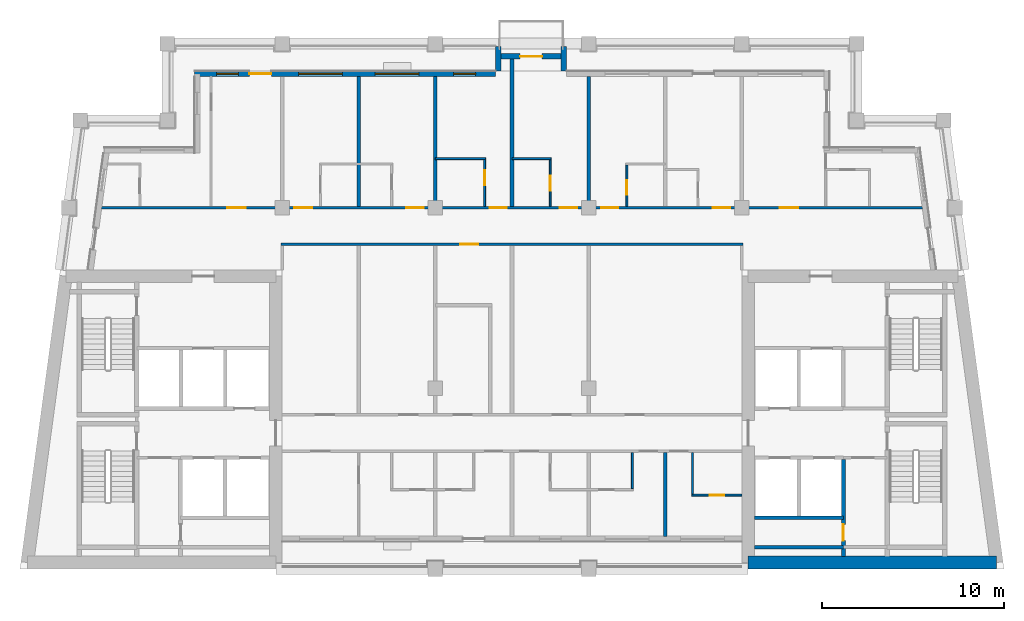
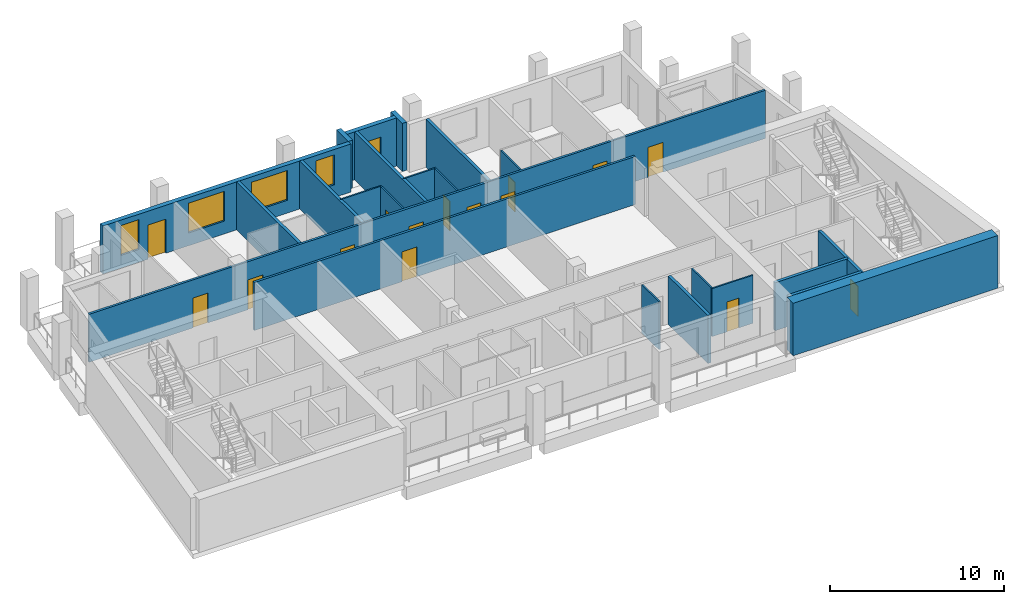
# One storey, part 4 of 10: 23 walls, 16 doors, 4 windows, 20 openings.
"""IFC4 building model written with IfcOpenShell, lengths in metres."""

from ifc_helpers import new_model, si_unit, direction, frame, frame_2d, origin, place, context, subcontext, project, spatial, rectangle, extrude, material, layer, layer_set, type_object, element, fill, save


model = new_model("IFC4")

# Units and contexts
model_context = context("Model", 3, precision=1e-05, world=origin(), true_north=direction((0.0, 1.0)))
body_context = subcontext(model_context, "Body", "Model", "MODEL_VIEW")
ifc_project = project(units=[si_unit("LENGTHUNIT", "METRE"), si_unit("AREAUNIT", "SQUARE_METRE"), si_unit("VOLUMEUNIT", "CUBIC_METRE"), si_unit("PLANEANGLEUNIT", "RADIAN"), si_unit("MASSUNIT", "GRAM", prefix="KILO")], contexts=[model_context])

# Site, building, storey
site_placement = place(None, origin())
site = spatial("IfcSite", under=ifc_project, at=site_placement, CompositionType="ELEMENT")
building_placement = place(site_placement, origin())
building = spatial("IfcBuilding", under=site, at=building_placement, Name="Candeia Pilgrim Tower and Theatre", CompositionType="ELEMENT")
storey_placement = place(building_placement, frame((0.0, 0.0, 292.300048828125)))
storey = spatial("IfcBuildingStorey", under=building, at=storey_placement, Name="L71", CompositionType="ELEMENT", Elevation=292.300048828125)

# Wall
ifc_material_1 = material(Name="Concrete C40/50", Category="concrete")
ifc_layer_1 = layer(ifc_material_1, 0.699951171875)
ifc_layer_set_1 = layer_set([ifc_layer_1], Name="Core wall 700 C40/50")
wall_type_1 = type_object("IfcWallType", Name="Core wall 700 C40/50", PredefinedType="SHEAR", material=ifc_layer_set_1)
wall_1_placement = place(storey_placement, frame((139.9765625, 116.35009765625, 0.0), z_axis=(0.0, 0.0, 1.0), x_axis=(-1.0, 0.0, 0.0)))
element("IfcWall", 1, at=wall_1_placement, inside=storey, type_object=wall_type_1, Name="Core wall E3", PredefinedType="SHEAR", context=body_context, shape_type="SweptSolid", body=[
    extrude(rectangle(XDim=13.62646484375, YDim=0.699951171875, at=frame_2d((6.813232421875, 0.0))), origin(), (0.0, 0.0, 1.0), 3.699951171875),
])

# Wall, openings, door, windows
ifc_material_2 = material(Name="Ceramic block masonry", Category="masonry")
ifc_layer_2 = layer(ifc_material_2, 0.300048828125)
ifc_layer_set_2 = layer_set([ifc_layer_2], Name="EW1 glazing-line wall 300")
wall_type_2 = type_object("IfcWallType", Name="EW1 glazing-line wall 300", PredefinedType="SOLIDWALL", material=ifc_layer_set_2)
wall_2_placement = place(storey_placement, frame((112.5, 143.14990234375, 0.0), z_axis=(0.0, 0.0, 1.0), x_axis=(-1.0, 0.0, 0.0)))
wall_2 = element("IfcWall", 2, at=wall_2_placement, inside=storey, type_object=wall_type_2, Name="External wall L71-5.1", PredefinedType="SOLIDWALL", context=body_context, shape_type="SweptSolid", body=[
    extrude(rectangle(XDim=16.5, YDim=0.300048828125, at=frame_2d((8.25, 0.0))), origin(), (0.0, 0.0, 1.0), 3.3798828125),
])
opening_1_placement = place(wall_2_placement, frame((1.10009765625, 0.0, 0.89990234375)))
opening_1 = element("IfcOpeningElement", 3, at=opening_1_placement, cuts=wall_2, Name="Opening W-B", PredefinedType="OPENING", context=body_context, shape_type="SweptSolid", body=[
    extrude(rectangle(XDim=1.199951171875, YDim=2.10009765625, at=frame_2d((0.60009765625, 1.050048828125))), frame((0.0, 0.16015625, 0.0), z_axis=(0.0, -1.0, 0.0), x_axis=(1.0, 0.0, 0.0)), (0.0, 0.0, 1.0), 0.320068359375),
])
opening_2_placement = place(wall_2_placement, frame((4.199951171875, 0.0, 0.89990234375)))
opening_2 = element("IfcOpeningElement", 4, at=opening_2_placement, cuts=wall_2, Name="Opening W-A", PredefinedType="OPENING", context=body_context, shape_type="SweptSolid", body=[
    extrude(rectangle(XDim=2.39990234375, YDim=2.10009765625, at=frame_2d((1.199951171875, 1.050048828125))), frame((0.0, 0.16015625, 0.0), z_axis=(0.0, -1.0, 0.0), x_axis=(1.0, 0.0, 0.0)), (0.0, 0.0, 1.0), 0.320068359375),
])
opening_3_placement = place(wall_2_placement, frame((8.39990234375, 0.0, 0.89990234375)))
opening_3 = element("IfcOpeningElement", 5, at=opening_3_placement, cuts=wall_2, Name="Opening W-A", PredefinedType="OPENING", context=body_context, shape_type="SweptSolid", body=[
    extrude(rectangle(XDim=2.39990234375, YDim=2.10009765625, at=frame_2d((1.199951171875, 1.050048828125))), frame((0.0, 0.16015625, 0.0), z_axis=(0.0, -1.0, 0.0), x_axis=(1.0, 0.0, 0.0)), (0.0, 0.0, 1.0), 0.320068359375),
])
opening_4_placement = place(wall_2_placement, frame((12.300048828125, 0.0, 0.0)))
opening_4 = element("IfcOpeningElement", 6, at=opening_4_placement, cuts=wall_2, Name="Opening L71-ED665", PredefinedType="OPENING", context=body_context, shape_type="SweptSolid", body=[
    extrude(rectangle(XDim=1.199951171875, YDim=2.39990234375, at=frame_2d((0.60009765625, 1.199951171875))), frame((0.0, 0.16015625, 0.0), z_axis=(0.0, -1.0, 0.0), x_axis=(1.0, 0.0, 0.0)), (0.0, 0.0, 1.0), 0.320068359375),
])
opening_5_placement = place(wall_2_placement, frame((14.10009765625, 0.0, 0.89990234375)))
opening_5 = element("IfcOpeningElement", 7, at=opening_5_placement, cuts=wall_2, Name="Opening W-B", PredefinedType="OPENING", context=body_context, shape_type="SweptSolid", body=[
    extrude(rectangle(XDim=1.199951171875, YDim=2.10009765625, at=frame_2d((0.60009765625, 1.050048828125))), frame((0.0, 0.16015625, 0.0), z_axis=(0.0, -1.0, 0.0), x_axis=(1.0, 0.0, 0.0)), (0.0, 0.0, 1.0), 0.320068359375),
])
ifc_material_3 = material(Name="Aluminium framed glazed door", Category="aluminium")
door_type_1 = type_object("IfcDoorType", Name="Loggia door 1200x2400", OperationType="DOUBLE_DOOR_SINGLE_SWING", PredefinedType="DOOR", material=ifc_material_3)
door_1_placement = place(opening_4_placement, origin())
door_1 = element("IfcDoor", 8, at=door_1_placement, inside=storey, type_object=door_type_1, Name="Loggia door L71-ED665", OperationType="DOUBLE_DOOR_SINGLE_SWING", OverallHeight=2.39990234375, OverallWidth=1.199951171875, PredefinedType="DOOR", context=body_context, shape_type="SweptSolid", body=[
    extrude(rectangle(XDim=1.199951171875, YDim=2.39990234375, at=frame_2d((0.60009765625, 1.199951171875))), frame((0.0, 0.02490234375, 0.0), z_axis=(0.0, -1.0, 0.0), x_axis=(1.0, 0.0, 0.0)), (0.0, 0.0, 1.0), 0.050048828125),
])
fill(opening_4, door_1)
ifc_material_4 = material(Name="Aluminium framed double glazing", Category="aluminium")
window_type_1 = type_object("IfcWindowType", Name="W-A window 2400x2100", PartitioningType="DOUBLE_PANEL_VERTICAL", PredefinedType="WINDOW", material=ifc_material_4)
window_1_placement = place(opening_2_placement, origin())
window_1 = element("IfcWindow", 9, at=window_1_placement, inside=storey, type_object=window_type_1, Name="Window W-A L71", OverallHeight=2.10009765625, OverallWidth=2.39990234375, PartitioningType="SINGLE_PANEL", PredefinedType="WINDOW", context=body_context, shape_type="SweptSolid", body=[
    extrude(rectangle(XDim=2.39990234375, YDim=2.10009765625, at=frame_2d((1.199951171875, 1.050048828125))), frame((0.0, 0.030029296875, 0.0), z_axis=(0.0, -1.0, 0.0), x_axis=(1.0, 0.0, 0.0)), (0.0, 0.0, 1.0), 0.06005859375),
])
fill(opening_2, window_1)
window_2_placement = place(opening_3_placement, origin())
window_2 = element("IfcWindow", 10, at=window_2_placement, inside=storey, type_object=window_type_1, Name="Window W-A L71", OverallHeight=2.10009765625, OverallWidth=2.39990234375, PartitioningType="SINGLE_PANEL", PredefinedType="WINDOW", context=body_context, shape_type="SweptSolid", body=[
    extrude(rectangle(XDim=2.39990234375, YDim=2.10009765625, at=frame_2d((1.199951171875, 1.050048828125))), frame((0.0, 0.030029296875, 0.0), z_axis=(0.0, -1.0, 0.0), x_axis=(1.0, 0.0, 0.0)), (0.0, 0.0, 1.0), 0.06005859375),
])
fill(opening_3, window_2)
window_type_2 = type_object("IfcWindowType", Name="W-B window 1200x2100", PartitioningType="SINGLE_PANEL", PredefinedType="WINDOW", material=ifc_material_4)
window_3_placement = place(opening_1_placement, origin())
window_3 = element("IfcWindow", 11, at=window_3_placement, inside=storey, type_object=window_type_2, Name="Window W-B L71", OverallHeight=2.10009765625, OverallWidth=1.199951171875, PartitioningType="SINGLE_PANEL", PredefinedType="WINDOW", context=body_context, shape_type="SweptSolid", body=[
    extrude(rectangle(XDim=1.199951171875, YDim=2.10009765625, at=frame_2d((0.60009765625, 1.050048828125))), frame((0.0, 0.030029296875, 0.0), z_axis=(0.0, -1.0, 0.0), x_axis=(1.0, 0.0, 0.0)), (0.0, 0.0, 1.0), 0.06005859375),
])
fill(opening_1, window_3)
window_4_placement = place(opening_5_placement, origin())
window_4 = element("IfcWindow", 12, at=window_4_placement, inside=storey, type_object=window_type_2, Name="Window W-B L71", OverallHeight=2.10009765625, OverallWidth=1.199951171875, PartitioningType="SINGLE_PANEL", PredefinedType="WINDOW", context=body_context, shape_type="SweptSolid", body=[
    extrude(rectangle(XDim=1.199951171875, YDim=2.10009765625, at=frame_2d((0.60009765625, 1.050048828125))), frame((0.0, 0.030029296875, 0.0), z_axis=(0.0, -1.0, 0.0), x_axis=(1.0, 0.0, 0.0)), (0.0, 0.0, 1.0), 0.06005859375),
])
fill(opening_5, window_4)

# Walls
ifc_layer_3 = layer(ifc_material_2, 0.300048828125)
ifc_layer_set_3 = layer_set([ifc_layer_3], Name="EW2 entrance infill wall 300")
wall_type_3 = type_object("IfcWallType", Name="EW2 entrance infill wall 300", PredefinedType="SOLIDWALL", material=ifc_layer_set_3)
for number, where, z_axis, x_axis, name in (
    (13, (116.25, 143.300048828125, 0.0), (0.0, 0.0, 1.0), (0.0, 1.0, 0.0), "Alcove wall L71"),
    (14, (112.64990234375, 143.300048828125, 0.0), (0.0, 0.0, 1.0), (0.0, 1.0, 0.0), "Alcove wall L71"),
):
    element("IfcWall", number, at=place(storey_placement, frame(where, z_axis=z_axis, x_axis=x_axis)), inside=storey, type_object=wall_type_3, Name=name, PredefinedType="SOLIDWALL", context=body_context, shape_type="SweptSolid", body=[
        extrude(rectangle(XDim=1.349853515625, YDim=0.300048828125, at=frame_2d((0.6748046875, 0.0))), origin(), (0.0, 0.0, 1.0), 3.3798828125),
    ])

# Wall, opening, door
wall_3_placement = place(storey_placement, frame((116.39990234375, 144.10009765625, 0.0), z_axis=(0.0, 0.0, 1.0), x_axis=(-1.0, 0.0, 0.0)))
wall_3 = element("IfcWall", 15, at=wall_3_placement, inside=storey, type_object=wall_type_3, Name="Alcove wall L71", PredefinedType="SOLIDWALL", context=body_context, shape_type="SweptSolid", body=[
    extrude(rectangle(XDim=3.89990234375, YDim=0.300048828125, at=frame_2d((1.949951171875, 0.0))), origin(), (0.0, 0.0, 1.0), 3.3798828125),
])
opening_6_placement = place(wall_3_placement, frame((1.35009765625, 0.0, 0.0)))
opening_6 = element("IfcOpeningElement", 16, at=opening_6_placement, cuts=wall_3, Name="Opening L71-ED666", PredefinedType="OPENING", context=body_context, shape_type="SweptSolid", body=[
    extrude(rectangle(XDim=1.199951171875, YDim=2.39990234375, at=frame_2d((0.60009765625, 1.199951171875))), frame((0.0, 0.16015625, 0.0), z_axis=(0.0, -1.0, 0.0), x_axis=(1.0, 0.0, 0.0)), (0.0, 0.0, 1.0), 0.320068359375),
])
door_2_placement = place(opening_6_placement, origin())
door_2 = element("IfcDoor", 17, at=door_2_placement, inside=storey, type_object=door_type_1, Name="Balcony door L71-ED666", OperationType="DOUBLE_DOOR_SINGLE_SWING", OverallHeight=2.39990234375, OverallWidth=1.199951171875, PredefinedType="DOOR", context=body_context, shape_type="SweptSolid", body=[
    extrude(rectangle(XDim=1.199951171875, YDim=2.39990234375, at=frame_2d((0.60009765625, 1.199951171875))), frame((0.0, 0.02490234375, 0.0), z_axis=(0.0, -1.0, 0.0), x_axis=(1.0, 0.0, 0.0)), (0.0, 0.0, 1.0), 0.050048828125),
])
fill(opening_6, door_2)

ifc_material_5 = material(Name="Gypsum board partition on steel studs", Category="steel")
ifc_layer_4 = layer(ifc_material_5, 0.10009765625)
ifc_layer_set_4 = layer_set([ifc_layer_4], Name="PW-100 room partition")
wall_type_4 = type_object("IfcWallType", Name="PW-100 room partition", PredefinedType="PARTITIONING", material=ifc_layer_set_4)
wall_4_placement = place(storey_placement, frame((123.25, 120.050048828125, 0.0), z_axis=(0.0, 0.0, 1.0), x_axis=(1.0, 0.0, 0.0)))
wall_4 = element("IfcWall", 18, at=wall_4_placement, inside=storey, type_object=wall_type_4, Name="Room partition L71-009", PredefinedType="PARTITIONING", context=body_context, shape_type="SweptSolid", body=[
    extrude(rectangle(XDim=2.75, YDim=0.10009765625, at=frame_2d((1.375, 0.0))), origin(), (0.0, 0.0, 1.0), 3.3798828125),
])
opening_7_placement = place(wall_4_placement, frame((1.0, 0.0, 0.0)))
opening_7 = element("IfcOpeningElement", 19, at=opening_7_placement, cuts=wall_4, Name="Opening L71-D019", PredefinedType="OPENING", context=body_context, shape_type="SweptSolid", body=[
    extrude(rectangle(XDim=0.800048828125, YDim=2.10009765625, at=frame_2d((0.39990234375, 1.050048828125))), frame((0.0, 0.06005859375, 0.0), z_axis=(0.0, -1.0, 0.0), x_axis=(1.0, 0.0, 0.0)), (0.0, 0.0, 1.0), 0.1201171875),
])
ifc_material_6 = material(Name="Timber door leaf", Category="wood")
door_type_2 = type_object("IfcDoorType", Name="D-800", OperationType="NOTDEFINED", PredefinedType="DOOR", material=ifc_material_6)
door_3_placement = place(opening_7_placement, origin())
door_3 = element("IfcDoor", 20, at=door_3_placement, inside=storey, type_object=door_type_2, Name="Door L71-D019", OperationType="SINGLE_SWING_RIGHT", OverallHeight=2.10009765625, OverallWidth=0.800048828125, PredefinedType="DOOR", context=body_context, shape_type="SweptSolid", body=[
    extrude(rectangle(XDim=0.800048828125, YDim=2.10009765625, at=frame_2d((0.39990234375, 1.050048828125))), frame((0.0, 0.02490234375, 0.0), z_axis=(0.0, -1.0, 0.0), x_axis=(1.0, 0.0, 0.0)), (0.0, 0.0, 1.0), 0.050048828125),
])
fill(opening_7, door_3)

# Walls
wall_5_placement = place(storey_placement, frame((109.199951171875, 138.5, 0.0), z_axis=(0.0, 0.0, 1.0), x_axis=(1.0, 0.0, 0.0)))
element("IfcWall", 21, at=wall_5_placement, inside=storey, type_object=wall_type_4, Name="Room partition L71-038", PredefinedType="PARTITIONING", context=body_context, shape_type="SweptSolid", body=[
    extrude(rectangle(XDim=2.75, YDim=0.10009765625, at=frame_2d((1.375, 0.0))), origin(), (0.0, 0.0, 1.0), 3.3798828125),
])
wall_6_placement = place(storey_placement, frame((113.39990234375, 138.5, 0.0), z_axis=(0.0, 0.0, 1.0), x_axis=(1.0, 0.0, 0.0)))
element("IfcWall", 22, at=wall_6_placement, inside=storey, type_object=wall_type_4, Name="Room partition L71-039", PredefinedType="PARTITIONING", context=body_context, shape_type="SweptSolid", body=[
    extrude(rectangle(XDim=2.150146484375, YDim=0.10009765625, at=frame_2d((1.0751953125, 0.0))), origin(), (0.0, 0.0, 1.0), 3.3798828125),
])

# Wall, opening, door
wall_7_placement = place(storey_placement, frame((111.89990234375, 135.875, 0.0), z_axis=(0.0, 0.0, 1.0), x_axis=(0.0, 1.0, 0.0)))
wall_7 = element("IfcWall", 23, at=wall_7_placement, inside=storey, type_object=wall_type_4, Name="Room partition L71-063", PredefinedType="PARTITIONING", context=body_context, shape_type="SweptSolid", body=[
    extrude(rectangle(XDim=2.574951171875, YDim=0.10009765625, at=frame_2d((1.28759765625, 0.0))), origin(), (0.0, 0.0, 1.0), 3.3798828125),
])
opening_8_placement = place(wall_7_placement, frame((1.175048828125, 0.0, 0.0)))
opening_8 = element("IfcOpeningElement", 24, at=opening_8_placement, cuts=wall_7, Name="Opening L71-D028", PredefinedType="OPENING", context=body_context, shape_type="SweptSolid", body=[
    extrude(rectangle(XDim=0.800048828125, YDim=2.10009765625, at=frame_2d((0.39990234375, 1.050048828125))), frame((0.0, 0.06005859375, 0.0), z_axis=(0.0, -1.0, 0.0), x_axis=(1.0, 0.0, 0.0)), (0.0, 0.0, 1.0), 0.1201171875),
])
door_4_placement = place(opening_8_placement, origin())
door_4 = element("IfcDoor", 25, at=door_4_placement, inside=storey, type_object=door_type_2, Name="Door L71-D028", OperationType="SINGLE_SWING_LEFT", OverallHeight=2.10009765625, OverallWidth=0.800048828125, PredefinedType="DOOR", context=body_context, shape_type="SweptSolid", body=[
    extrude(rectangle(XDim=0.800048828125, YDim=2.10009765625, at=frame_2d((0.39990234375, 1.050048828125))), frame((0.0, 0.02490234375, 0.0), z_axis=(0.0, -1.0, 0.0), x_axis=(1.0, 0.0, 0.0)), (0.0, 0.0, 1.0), 0.050048828125),
])
fill(opening_8, door_4)

wall_8_placement = place(storey_placement, frame((115.5, 135.875, 0.0), z_axis=(0.0, 0.0, 1.0), x_axis=(0.0, 1.0, 0.0)))
wall_8 = element("IfcWall", 26, at=wall_8_placement, inside=storey, type_object=wall_type_4, Name="Room partition L71-069", PredefinedType="PARTITIONING", context=body_context, shape_type="SweptSolid", body=[
    extrude(rectangle(XDim=2.574951171875, YDim=0.10009765625, at=frame_2d((1.28759765625, 0.0))), origin(), (0.0, 0.0, 1.0), 3.3798828125),
])
opening_9_placement = place(wall_8_placement, frame((0.875, 0.0, 0.0)))
opening_9 = element("IfcOpeningElement", 27, at=opening_9_placement, cuts=wall_8, Name="Opening L71-D030", PredefinedType="OPENING", context=body_context, shape_type="SweptSolid", body=[
    extrude(rectangle(XDim=0.800048828125, YDim=2.10009765625, at=frame_2d((0.39990234375, 1.050048828125))), frame((0.0, 0.06005859375, 0.0), z_axis=(0.0, -1.0, 0.0), x_axis=(1.0, 0.0, 0.0)), (0.0, 0.0, 1.0), 0.1201171875),
])
door_5_placement = place(opening_9_placement, origin())
door_5 = element("IfcDoor", 28, at=door_5_placement, inside=storey, type_object=door_type_2, Name="Door L71-D030", OperationType="SINGLE_SWING_LEFT", OverallHeight=2.10009765625, OverallWidth=0.800048828125, PredefinedType="DOOR", context=body_context, shape_type="SweptSolid", body=[
    extrude(rectangle(XDim=0.800048828125, YDim=2.10009765625, at=frame_2d((0.39990234375, 1.050048828125))), frame((0.0, 0.02490234375, 0.0), z_axis=(0.0, -1.0, 0.0), x_axis=(1.0, 0.0, 0.0)), (0.0, 0.0, 1.0), 0.050048828125),
])
fill(opening_9, door_5)

wall_9_placement = place(storey_placement, frame((119.699951171875, 135.875, 0.0), z_axis=(0.0, 0.0, 1.0), x_axis=(0.0, 1.0, 0.0)))
wall_9 = element("IfcWall", 29, at=wall_9_placement, inside=storey, type_object=wall_type_4, Name="Room partition L71-073", PredefinedType="PARTITIONING", context=body_context, shape_type="SweptSolid", body=[
    extrude(rectangle(XDim=2.27490234375, YDim=0.10009765625, at=frame_2d((1.137451171875, 0.0))), origin(), (0.0, 0.0, 1.0), 3.3798828125),
])
opening_10_placement = place(wall_9_placement, frame((0.635009765625, 0.0, 0.0)))
opening_10 = element("IfcOpeningElement", 30, at=opening_10_placement, cuts=wall_9, Name="Opening L71-D032", PredefinedType="OPENING", context=body_context, shape_type="SweptSolid", body=[
    extrude(rectangle(XDim=0.800048828125, YDim=2.10009765625, at=frame_2d((0.39990234375, 1.050048828125))), frame((0.0, 0.06005859375, 0.0), z_axis=(0.0, -1.0, 0.0), x_axis=(1.0, 0.0, 0.0)), (0.0, 0.0, 1.0), 0.1201171875),
])
door_6_placement = place(opening_10_placement, origin())
door_6 = element("IfcDoor", 31, at=door_6_placement, inside=storey, type_object=door_type_2, Name="Door L71-D032", OperationType="SINGLE_SWING_LEFT", OverallHeight=2.10009765625, OverallWidth=0.800048828125, PredefinedType="DOOR", context=body_context, shape_type="SweptSolid", body=[
    extrude(rectangle(XDim=0.800048828125, YDim=2.10009765625, at=frame_2d((0.39990234375, 1.050048828125))), frame((0.0, 0.02490234375, 0.0), z_axis=(0.0, -1.0, 0.0), x_axis=(1.0, 0.0, 0.0)), (0.0, 0.0, 1.0), 0.050048828125),
])
fill(opening_10, door_6)

# Walls
wall_10_placement = place(storey_placement, frame((120.0, 120.39990234375, 0.0), z_axis=(0.0, 0.0, 1.0), x_axis=(0.0, 1.0, 0.0)))
element("IfcWall", 32, at=wall_10_placement, inside=storey, type_object=wall_type_4, Name="Room partition L71-074", PredefinedType="PARTITIONING", context=body_context, shape_type="SweptSolid", body=[
    extrude(rectangle(XDim=1.97509765625, YDim=0.10009765625, at=frame_2d((0.987548828125, 0.0))), origin(), (0.0, 0.0, 1.0), 3.3798828125),
])
wall_11_placement = place(storey_placement, frame((123.300048828125, 120.10009765625, 0.0), z_axis=(0.0, 0.0, 1.0), x_axis=(0.0, 1.0, 0.0)))
element("IfcWall", 33, at=wall_11_placement, inside=storey, type_object=wall_type_4, Name="Room partition L71-077", PredefinedType="PARTITIONING", context=body_context, shape_type="SweptSolid", body=[
    extrude(rectangle(XDim=2.27490234375, YDim=0.10009765625, at=frame_2d((1.137451171875, 0.0))), origin(), (0.0, 0.0, 1.0), 3.3798828125),
])

# Wall, opening, door
ifc_layer_5 = layer(ifc_material_5, 0.14990234375)
ifc_layer_set_5 = layer_set([ifc_layer_5], Name="PW-150 unit wall")
wall_type_5 = type_object("IfcWallType", Name="PW-150 unit wall", PredefinedType="PARTITIONING", material=ifc_layer_set_5)
wall_12_placement = place(storey_placement, frame((100.72509765625, 133.800048828125, 0.0), z_axis=(0.0, 0.0, 1.0), x_axis=(1.0, 0.0, 0.0)))
wall_12 = element("IfcWall", 34, at=wall_12_placement, inside=storey, type_object=wall_type_5, Name="Unit wall L71-031", PredefinedType="PARTITIONING", context=body_context, shape_type="SweptSolid", body=[
    extrude(rectangle(XDim=25.349853515625, YDim=0.14990234375, at=frame_2d((12.6748046875, 0.0))), origin(), (0.0, 0.0, 1.0), 3.3798828125),
])
opening_11_placement = place(wall_12_placement, frame((9.824951171875, 0.0, 0.0)))
opening_11 = element("IfcOpeningElement", 35, at=opening_11_placement, cuts=wall_12, Name="Opening L71-D038", PredefinedType="OPENING", context=body_context, shape_type="SweptSolid", body=[
    extrude(rectangle(XDim=1.0, YDim=2.10009765625, at=frame_2d((0.5, 1.050048828125))), frame((0.0, 0.0849609375, 0.0), z_axis=(0.0, -1.0, 0.0), x_axis=(1.0, 0.0, 0.0)), (0.0, 0.0, 1.0), 0.169921875),
])
ifc_material_7 = material(Name="Steel fire door set", Category="steel")
door_type_3 = type_object("IfcDoorType", Name="D-1000-FD30S", OperationType="NOTDEFINED", PredefinedType="DOOR", material=ifc_material_7)
door_7_placement = place(opening_11_placement, origin())
door_7 = element("IfcDoor", 36, at=door_7_placement, inside=storey, type_object=door_type_3, Name="Door L71-D038", OperationType="SINGLE_SWING_LEFT", OverallHeight=2.10009765625, OverallWidth=1.0, PredefinedType="DOOR", context=body_context, shape_type="SweptSolid", body=[
    extrude(rectangle(XDim=1.0, YDim=2.10009765625, at=frame_2d((0.5, 1.050048828125))), frame((0.0, 0.02490234375, 0.0), z_axis=(0.0, -1.0, 0.0), x_axis=(1.0, 0.0, 0.0)), (0.0, 0.0, 1.0), 0.050048828125),
])
fill(opening_11, door_7)

# Wall, openings, doors
wall_13_placement = place(storey_placement, frame((90.89453125, 135.800048828125, 0.0), z_axis=(0.0, 0.0, 1.0), x_axis=(1.0, 0.0, 0.0)))
wall_13 = element("IfcWall", 37, at=wall_13_placement, inside=storey, type_object=wall_type_5, Name="Unit wall L71-032", PredefinedType="PARTITIONING", context=body_context, shape_type="SweptSolid", body=[
    extrude(rectangle(XDim=45.010986328125, YDim=0.14990234375, at=frame_2d((22.50537109375, 0.0))), origin(), (0.0, 0.0, 1.0), 3.3798828125),
])
opening_12_placement = place(wall_13_placement, frame((6.905517578125, 0.0, 0.0)))
opening_12 = element("IfcOpeningElement", 38, at=opening_12_placement, cuts=wall_13, Name="Opening L71-D020", PredefinedType="OPENING", context=body_context, shape_type="SweptSolid", body=[
    extrude(rectangle(XDim=1.0, YDim=2.10009765625, at=frame_2d((0.5, 1.050048828125))), frame((0.0, 0.0849609375, 0.0), z_axis=(0.0, -1.0, 0.0), x_axis=(1.0, 0.0, 0.0)), (0.0, 0.0, 1.0), 0.169921875),
])
opening_13_placement = place(wall_13_placement, frame((10.555419921875, 0.0, 0.0)))
opening_13 = element("IfcOpeningElement", 39, at=opening_13_placement, cuts=wall_13, Name="Opening L71-D023", PredefinedType="OPENING", context=body_context, shape_type="SweptSolid", body=[
    extrude(rectangle(XDim=1.0, YDim=2.10009765625, at=frame_2d((0.5, 1.050048828125))), frame((0.0, 0.0849609375, 0.0), z_axis=(0.0, -1.0, 0.0), x_axis=(1.0, 0.0, 0.0)), (0.0, 0.0, 1.0), 0.169921875),
])
opening_14_placement = place(wall_13_placement, frame((16.718505859375, 0.0, 0.0)))
opening_14 = element("IfcOpeningElement", 40, at=opening_14_placement, cuts=wall_13, Name="Opening L71-D025", PredefinedType="OPENING", context=body_context, shape_type="SweptSolid", body=[
    extrude(rectangle(XDim=0.949951171875, YDim=2.10009765625, at=frame_2d((0.47509765625, 1.050048828125))), frame((0.0, 0.0849609375, 0.0), z_axis=(0.0, -1.0, 0.0), x_axis=(1.0, 0.0, 0.0)), (0.0, 0.0, 1.0), 0.169921875),
])
opening_15_placement = place(wall_13_placement, frame((21.280517578125, 0.0, 0.0)))
opening_15 = element("IfcOpeningElement", 41, at=opening_15_placement, cuts=wall_13, Name="Opening L71-D027", PredefinedType="OPENING", context=body_context, shape_type="SweptSolid", body=[
    extrude(rectangle(XDim=0.949951171875, YDim=2.10009765625, at=frame_2d((0.47509765625, 1.050048828125))), frame((0.0, 0.0849609375, 0.0), z_axis=(0.0, -1.0, 0.0), x_axis=(1.0, 0.0, 0.0)), (0.0, 0.0, 1.0), 0.169921875),
])
opening_16_placement = place(wall_13_placement, frame((25.12548828125, 0.0, 0.0)))
opening_16 = element("IfcOpeningElement", 42, at=opening_16_placement, cuts=wall_13, Name="Opening L71-D029", PredefinedType="OPENING", context=body_context, shape_type="SweptSolid", body=[
    extrude(rectangle(XDim=0.949951171875, YDim=2.10009765625, at=frame_2d((0.47509765625, 1.050048828125))), frame((0.0, 0.0849609375, 0.0), z_axis=(0.0, -1.0, 0.0), x_axis=(1.0, 0.0, 0.0)), (0.0, 0.0, 1.0), 0.169921875),
])
opening_17_placement = place(wall_13_placement, frame((27.393310546875, 0.0, 0.0)))
opening_17 = element("IfcOpeningElement", 43, at=opening_17_placement, cuts=wall_13, Name="Opening L71-D031", PredefinedType="OPENING", context=body_context, shape_type="SweptSolid", body=[
    extrude(rectangle(XDim=0.949951171875, YDim=2.10009765625, at=frame_2d((0.47509765625, 1.050048828125))), frame((0.0, 0.0849609375, 0.0), z_axis=(0.0, -1.0, 0.0), x_axis=(1.0, 0.0, 0.0)), (0.0, 0.0, 1.0), 0.169921875),
])
opening_18_placement = place(wall_13_placement, frame((33.518310546875, 0.0, 0.0)))
opening_18 = element("IfcOpeningElement", 44, at=opening_18_placement, cuts=wall_13, Name="Opening L71-D033", PredefinedType="OPENING", context=body_context, shape_type="SweptSolid", body=[
    extrude(rectangle(XDim=0.949951171875, YDim=2.10009765625, at=frame_2d((0.47509765625, 1.050048828125))), frame((0.0, 0.0849609375, 0.0), z_axis=(0.0, -1.0, 0.0), x_axis=(1.0, 0.0, 0.0)), (0.0, 0.0, 1.0), 0.169921875),
])
opening_19_placement = place(wall_13_placement, frame((37.1953125, 0.0, 0.0)))
opening_19 = element("IfcOpeningElement", 45, at=opening_19_placement, cuts=wall_13, Name="Opening L71-D035", PredefinedType="OPENING", context=body_context, shape_type="SweptSolid", body=[
    extrude(rectangle(XDim=1.0, YDim=2.10009765625, at=frame_2d((0.5, 1.050048828125))), frame((0.0, 0.0849609375, 0.0), z_axis=(0.0, -1.0, 0.0), x_axis=(1.0, 0.0, 0.0)), (0.0, 0.0, 1.0), 0.169921875),
])
door_8_placement = place(opening_12_placement, origin())
door_8 = element("IfcDoor", 46, at=door_8_placement, inside=storey, type_object=door_type_3, Name="Door L71-D020", OperationType="SINGLE_SWING_LEFT", OverallHeight=2.10009765625, OverallWidth=1.0, PredefinedType="DOOR", context=body_context, shape_type="SweptSolid", body=[
    extrude(rectangle(XDim=1.0, YDim=2.10009765625, at=frame_2d((0.5, 1.050048828125))), frame((0.0, 0.02490234375, 0.0), z_axis=(0.0, -1.0, 0.0), x_axis=(1.0, 0.0, 0.0)), (0.0, 0.0, 1.0), 0.050048828125),
])
fill(opening_12, door_8)
door_9_placement = place(opening_13_placement, origin())
door_9 = element("IfcDoor", 47, at=door_9_placement, inside=storey, type_object=door_type_3, Name="Door L71-D023", OperationType="SINGLE_SWING_RIGHT", OverallHeight=2.10009765625, OverallWidth=1.0, PredefinedType="DOOR", context=body_context, shape_type="SweptSolid", body=[
    extrude(rectangle(XDim=1.0, YDim=2.10009765625, at=frame_2d((0.5, 1.050048828125))), frame((0.0, 0.02490234375, 0.0), z_axis=(0.0, -1.0, 0.0), x_axis=(1.0, 0.0, 0.0)), (0.0, 0.0, 1.0), 0.050048828125),
])
fill(opening_13, door_9)
door_10_placement = place(opening_19_placement, origin())
door_10 = element("IfcDoor", 48, at=door_10_placement, inside=storey, type_object=door_type_3, Name="Door L71-D035", OperationType="SINGLE_SWING_RIGHT", OverallHeight=2.10009765625, OverallWidth=1.0, PredefinedType="DOOR", context=body_context, shape_type="SweptSolid", body=[
    extrude(rectangle(XDim=1.0, YDim=2.10009765625, at=frame_2d((0.5, 1.050048828125))), frame((0.0, 0.02490234375, 0.0), z_axis=(0.0, -1.0, 0.0), x_axis=(1.0, 0.0, 0.0)), (0.0, 0.0, 1.0), 0.050048828125),
])
fill(opening_19, door_10)
door_type_4 = type_object("IfcDoorType", Name="D-950-FD30S", OperationType="NOTDEFINED", PredefinedType="DOOR", material=ifc_material_7)
door_11_placement = place(opening_14_placement, origin())
door_11 = element("IfcDoor", 49, at=door_11_placement, inside=storey, type_object=door_type_4, Name="Door L71-D025", OperationType="SINGLE_SWING_RIGHT", OverallHeight=2.10009765625, OverallWidth=0.949951171875, PredefinedType="DOOR", context=body_context, shape_type="SweptSolid", body=[
    extrude(rectangle(XDim=0.949951171875, YDim=2.10009765625, at=frame_2d((0.47509765625, 1.050048828125))), frame((0.0, 0.02490234375, 0.0), z_axis=(0.0, -1.0, 0.0), x_axis=(1.0, 0.0, 0.0)), (0.0, 0.0, 1.0), 0.050048828125),
])
fill(opening_14, door_11)
door_12_placement = place(opening_15_placement, origin())
door_12 = element("IfcDoor", 50, at=door_12_placement, inside=storey, type_object=door_type_4, Name="Door L71-D027", OperationType="SINGLE_SWING_RIGHT", OverallHeight=2.10009765625, OverallWidth=0.949951171875, PredefinedType="DOOR", context=body_context, shape_type="SweptSolid", body=[
    extrude(rectangle(XDim=0.949951171875, YDim=2.10009765625, at=frame_2d((0.47509765625, 1.050048828125))), frame((0.0, 0.02490234375, 0.0), z_axis=(0.0, -1.0, 0.0), x_axis=(1.0, 0.0, 0.0)), (0.0, 0.0, 1.0), 0.050048828125),
])
fill(opening_15, door_12)
door_13_placement = place(opening_16_placement, origin())
door_13 = element("IfcDoor", 51, at=door_13_placement, inside=storey, type_object=door_type_4, Name="Door L71-D029", OperationType="SINGLE_SWING_RIGHT", OverallHeight=2.10009765625, OverallWidth=0.949951171875, PredefinedType="DOOR", context=body_context, shape_type="SweptSolid", body=[
    extrude(rectangle(XDim=0.949951171875, YDim=2.10009765625, at=frame_2d((0.47509765625, 1.050048828125))), frame((0.0, 0.02490234375, 0.0), z_axis=(0.0, -1.0, 0.0), x_axis=(1.0, 0.0, 0.0)), (0.0, 0.0, 1.0), 0.050048828125),
])
fill(opening_16, door_13)
door_14_placement = place(opening_17_placement, origin())
door_14 = element("IfcDoor", 52, at=door_14_placement, inside=storey, type_object=door_type_4, Name="Door L71-D031", OperationType="SINGLE_SWING_RIGHT", OverallHeight=2.10009765625, OverallWidth=0.949951171875, PredefinedType="DOOR", context=body_context, shape_type="SweptSolid", body=[
    extrude(rectangle(XDim=0.949951171875, YDim=2.10009765625, at=frame_2d((0.47509765625, 1.050048828125))), frame((0.0, 0.02490234375, 0.0), z_axis=(0.0, -1.0, 0.0), x_axis=(1.0, 0.0, 0.0)), (0.0, 0.0, 1.0), 0.050048828125),
])
fill(opening_17, door_14)
door_15_placement = place(opening_18_placement, origin())
door_15 = element("IfcDoor", 53, at=door_15_placement, inside=storey, type_object=door_type_4, Name="Door L71-D033", OperationType="SINGLE_SWING_RIGHT", OverallHeight=2.10009765625, OverallWidth=0.949951171875, PredefinedType="DOOR", context=body_context, shape_type="SweptSolid", body=[
    extrude(rectangle(XDim=0.949951171875, YDim=2.10009765625, at=frame_2d((0.47509765625, 1.050048828125))), frame((0.0, 0.02490234375, 0.0), z_axis=(0.0, -1.0, 0.0), x_axis=(1.0, 0.0, 0.0)), (0.0, 0.0, 1.0), 0.050048828125),
])
fill(opening_18, door_15)

# Walls
ifc_layer_6 = layer(ifc_material_5, 0.199951171875)
ifc_layer_set_6 = layer_set([ifc_layer_6], Name="PW-200 party wall")
wall_type_6 = type_object("IfcWallType", Name="PW-200 party wall", PredefinedType="PARTITIONING", material=ifc_layer_set_6)
for number, where, z_axis, x_axis, name in (
    (54, (105.0, 135.875, 0.0), (0.0, 0.0, 1.0), (0.0, 1.0, 0.0), "Party wall L71-056"),
    (55, (109.199951171875, 135.875, 0.0), (0.0, 0.0, 1.0), (0.0, 1.0, 0.0), "Party wall L71-061"),
):
    element("IfcWall", number, at=place(storey_placement, frame(where, z_axis=z_axis, x_axis=x_axis)), inside=storey, type_object=wall_type_6, Name=name, PredefinedType="PARTITIONING", context=body_context, shape_type="SweptSolid", body=[
        extrude(rectangle(XDim=7.135009765625, YDim=0.199951171875, at=frame_2d((3.5673828125, 0.0))), origin(), (0.0, 0.0, 1.0), 3.3798828125),
    ])
wall_14_placement = place(storey_placement, frame((113.39990234375, 135.875, 0.0), z_axis=(0.0, 0.0, 1.0), x_axis=(0.0, 1.0, 0.0)))
element("IfcWall", 56, at=wall_14_placement, inside=storey, type_object=wall_type_6, Name="Party wall L71-067", PredefinedType="PARTITIONING", context=body_context, shape_type="SweptSolid", body=[
    extrude(rectangle(XDim=8.0849609375, YDim=0.199951171875, at=frame_2d((4.04248046875, 0.0))), origin(), (0.0, 0.0, 1.0), 3.3798828125),
])
wall_15_placement = place(storey_placement, frame((117.60009765625, 135.875, 0.0), z_axis=(0.0, 0.0, 1.0), x_axis=(0.0, 1.0, 0.0)))
element("IfcWall", 57, at=wall_15_placement, inside=storey, type_object=wall_type_6, Name="Party wall L71-072", PredefinedType="PARTITIONING", context=body_context, shape_type="SweptSolid", body=[
    extrude(rectangle(XDim=7.135009765625, YDim=0.199951171875, at=frame_2d((3.5673828125, 0.0))), origin(), (0.0, 0.0, 1.0), 3.3798828125),
])
wall_16_placement = place(storey_placement, frame((121.800048828125, 117.7900390625, 0.0), z_axis=(0.0, 0.0, 1.0), x_axis=(0.0, 1.0, 0.0)))
element("IfcWall", 58, at=wall_16_placement, inside=storey, type_object=wall_type_6, Name="Party wall L71-075", PredefinedType="PARTITIONING", context=body_context, shape_type="SweptSolid", body=[
    extrude(rectangle(XDim=4.5849609375, YDim=0.199951171875, at=frame_2d((2.29248046875, 0.0))), origin(), (0.0, 0.0, 1.0), 3.3798828125),
])
ifc_layer_7 = layer(ifc_material_1, 0.199951171875)
ifc_layer_set_7 = layer_set([ifc_layer_7], Name="SW-200 shaft wall")
wall_type_7 = type_object("IfcWallType", Name="SW-200 shaft wall", PredefinedType="PARTITIONING", material=ifc_layer_set_7)
for number, where, z_axis, x_axis, name in (
    (59, (126.699951171875, 117.199951171875, 0.0), (0.0, 0.0, 1.0), (1.0, 0.0, 0.0), "Shaft wall L71-002"),
    (60, (126.699951171875, 118.800048828125, 0.0), (0.0, 0.0, 1.0), (1.0, 0.0, 0.0), "Shaft wall L71-008"),
):
    element("IfcWall", number, at=place(storey_placement, frame(where, z_axis=z_axis, x_axis=x_axis)), inside=storey, type_object=wall_type_7, Name=name, PredefinedType="PARTITIONING", context=body_context, shape_type="SweptSolid", body=[
        extrude(rectangle(XDim=4.873046875, YDim=0.199951171875, at=frame_2d((2.4365234375, 0.0))), origin(), (0.0, 0.0, 1.0), 3.3798828125),
    ])

# Wall, opening, door
wall_17_placement = place(storey_placement, frame((131.572998046875, 116.669921875, 0.0), z_axis=(0.0, 0.0, 1.0), x_axis=(0.0, 1.0, 0.0)))
wall_17 = element("IfcWall", 61, at=wall_17_placement, inside=storey, type_object=wall_type_7, Name="Shaft wall L71-085", PredefinedType="PARTITIONING", context=body_context, shape_type="SweptSolid", body=[
    extrude(rectangle(XDim=5.330078125, YDim=0.199951171875, at=frame_2d((2.6650390625, 0.0))), origin(), (0.0, 0.0, 1.0), 3.3798828125),
])
opening_20_placement = place(wall_17_placement, frame((0.8798828125, 0.0, 0.0)))
opening_20 = element("IfcOpeningElement", 62, at=opening_20_placement, cuts=wall_17, Name="Opening L71-D008", PredefinedType="OPENING", context=body_context, shape_type="SweptSolid", body=[
    extrude(rectangle(XDim=0.89990234375, YDim=2.10009765625, at=frame_2d((0.449951171875, 1.050048828125))), frame((0.0, 0.10986328125, 0.0), z_axis=(0.0, -1.0, 0.0), x_axis=(1.0, 0.0, 0.0)), (0.0, 0.0, 1.0), 0.219970703125),
])
door_type_5 = type_object("IfcDoorType", Name="D-900-FD60", OperationType="NOTDEFINED", PredefinedType="DOOR", material=ifc_material_7)
door_16_placement = place(opening_20_placement, origin())
door_16 = element("IfcDoor", 63, at=door_16_placement, inside=storey, type_object=door_type_5, Name="Door L71-D008", OperationType="SINGLE_SWING_LEFT", OverallHeight=2.10009765625, OverallWidth=0.89990234375, PredefinedType="DOOR", context=body_context, shape_type="SweptSolid", body=[
    extrude(rectangle(XDim=0.89990234375, YDim=2.10009765625, at=frame_2d((0.449951171875, 1.050048828125))), frame((0.0, 0.02490234375, 0.0), z_axis=(0.0, -1.0, 0.0), x_axis=(1.0, 0.0, 0.0)), (0.0, 0.0, 1.0), 0.050048828125),
])
fill(opening_20, door_16)

save(model, "model.ifc")
